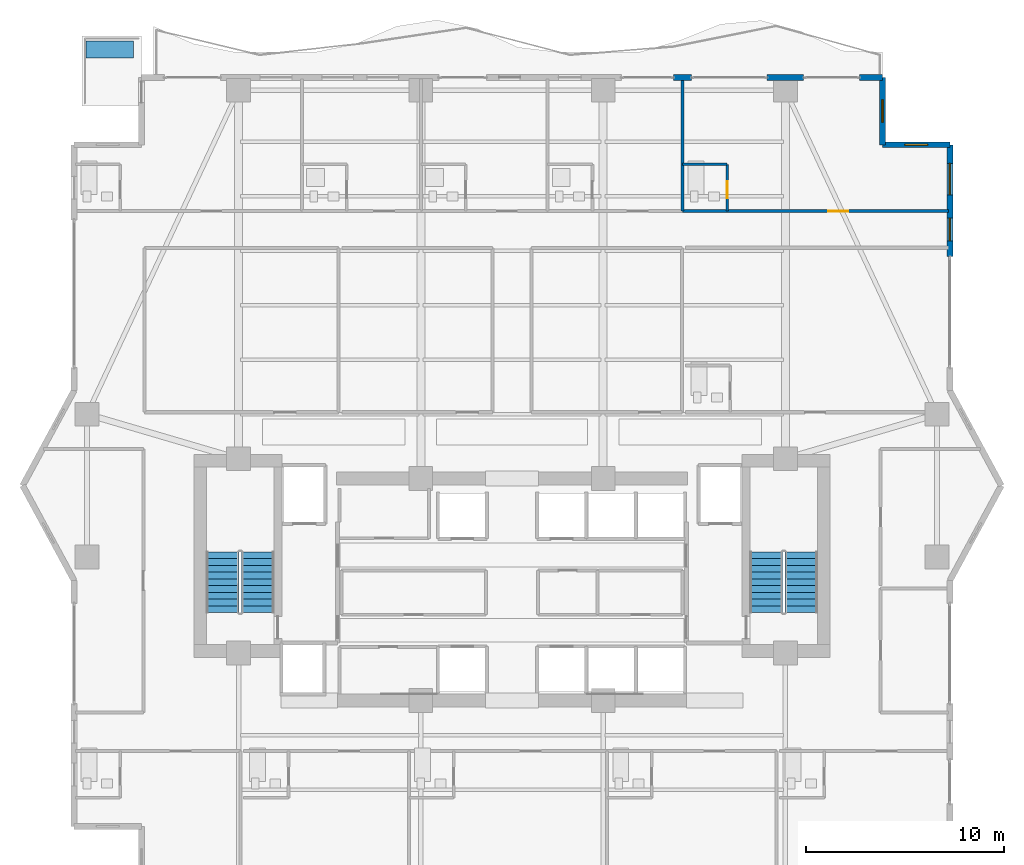
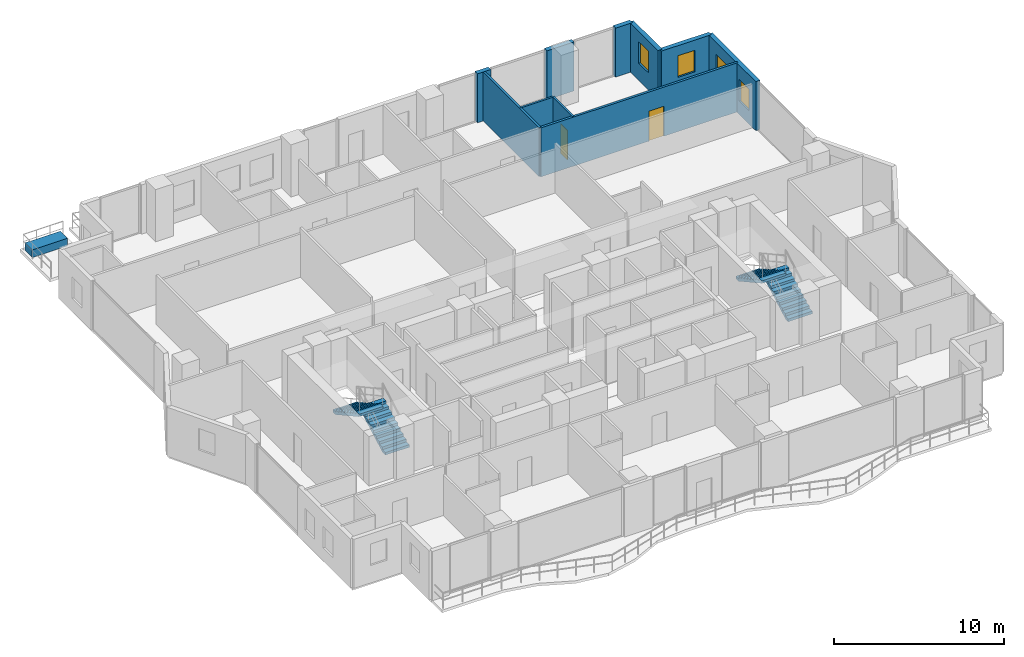
# One storey, part 28 of 32: 10 walls, 4 stair flights, 4 windows, 2 doors, 1 building element part, 6 openings, 2 elements without a shape of their own.
"""IFC4 building model written with IfcOpenShell, lengths in metres."""

from ifc_helpers import new_model, si_unit, direction, frame, frame_2d, origin, origin_2d, place, context, subcontext, project, spatial, polyline, rectangle, outline, extrude, material, layer, layer_set, type_object, element, fill, aggregate, save


model = new_model("IFC4")

# Units and contexts
model_context = context("Model", 3, precision=1e-05, world=origin(), true_north=direction((0.0, 1.0)))
body_context = subcontext(model_context, "Body", "Model", "MODEL_VIEW")
ifc_project = project(units=[si_unit("LENGTHUNIT", "METRE"), si_unit("AREAUNIT", "SQUARE_METRE"), si_unit("VOLUMEUNIT", "CUBIC_METRE"), si_unit("PLANEANGLEUNIT", "RADIAN"), si_unit("MASSUNIT", "GRAM", prefix="KILO")], contexts=[model_context])

# Site, building, storey
site_placement = place(None, origin())
site = spatial("IfcSite", under=ifc_project, at=site_placement, CompositionType="ELEMENT")
building_placement = place(site_placement, origin())
building = spatial("IfcBuilding", under=site, at=building_placement, Name="Zuhayl Quay Hotel", CompositionType="ELEMENT")
storey_placement = place(building_placement, frame((0.0, 0.0, 184.89990234375)))
storey = spatial("IfcBuildingStorey", under=building, at=storey_placement, Name="L46", CompositionType="ELEMENT", Elevation=184.89990234375)

# Walls
ifc_material_1 = material(Name="Precast concrete C45/55", Category="concrete")
ifc_layer_1 = layer(ifc_material_1, 0.300048828125, Name="Precast concrete C45/55", Category="concrete")
ifc_layer_set_1 = layer_set([ifc_layer_1], Name="Precast concrete C45/55")
wall_type_1 = type_object("IfcWallType", Name="WL_EXT_300", PredefinedType="STANDARD", material=ifc_layer_set_1)
wall_1_placement = place(storey_placement, frame((8.14990234375, 33.60009765625, 0.0), z_axis=(0.0, 0.0, 1.0), x_axis=(1.0, 0.0, 0.0)))
element("IfcWall", 1, at=wall_1_placement, inside=storey, type_object=wall_type_1, Name="L46 Exterior Precast Wall ENV_L46_N_EW4", PredefinedType="STANDARD", context=body_context, shape_type="SweptSolid", body=[
    extrude(rectangle(XDim=0.900146484375, YDim=0.300048828125, at=frame_2d((0.4501953125, 0.0))), origin(), (0.0, 0.0, 1.0), 3.530029296875),
])
wall_2_placement = place(storey_placement, frame((12.8798828125, 33.60009765625, 0.0), z_axis=(0.0, 0.0, 1.0), x_axis=(1.0, 0.0, 0.0)))
element("IfcWall", 2, at=wall_2_placement, inside=storey, type_object=wall_type_1, Name="L46 Exterior Precast Wall ENV_L46_N_EW5", PredefinedType="STANDARD", context=body_context, shape_type="SweptSolid", body=[
    extrude(rectangle(XDim=1.840087890625, YDim=0.300048828125, at=frame_2d((0.919921875, 0.0))), origin(), (0.0, 0.0, 1.0), 3.530029296875),
])
wall_3_placement = place(storey_placement, frame((17.550048828125, 33.60009765625, 0.0), z_axis=(0.0, 0.0, 1.0), x_axis=(1.0, 0.0, 0.0)))
element("IfcWall", 3, at=wall_3_placement, inside=storey, type_object=wall_type_1, Name="L46 Exterior Precast Wall ENV_L46_N_EW6", PredefinedType="STANDARD", context=body_context, shape_type="SweptSolid", body=[
    extrude(rectangle(XDim=1.14990234375, YDim=0.300048828125, at=frame_2d((0.574951171875, 0.0))), origin(), (0.0, 0.0, 1.0), 3.530029296875),
])

# Wall, opening, window
wall_4_placement = place(storey_placement, frame((18.699951171875, 33.60009765625, 0.0), z_axis=(0.0, 0.0, 1.0), x_axis=(0.0, -1.0, 0.0)))
wall_4 = element("IfcWall", 4, at=wall_4_placement, inside=storey, type_object=wall_type_1, Name="L46 Exterior Precast Wall ENV_L46_EW09", PredefinedType="STANDARD", context=body_context, shape_type="SweptSolid", body=[
    extrude(rectangle(XDim=3.400146484375, YDim=0.300048828125, at=frame_2d((1.7001953125, 0.0))), origin(), (0.0, 0.0, 1.0), 3.530029296875),
])
opening_1_placement = place(wall_4_placement, frame((1.125, 0.0, 1.25)))
opening_1 = element("IfcOpeningElement", 5, at=opening_1_placement, cuts=wall_4, Name="Opening W01N", PredefinedType="OPENING", context=body_context, shape_type="SweptSolid", body=[
    extrude(rectangle(XDim=1.14990234375, YDim=1.550048828125, at=frame_2d((0.574951171875, 0.77490234375))), frame((0.0, 0.159912109375, 0.0), z_axis=(0.0, -1.0, 0.0), x_axis=(1.0, 0.0, 0.0)), (0.0, 0.0, 1.0), 0.320068359375),
])
ifc_material_2 = material(Name="Dark Ceramic-Fritted Solar Glass", Category="glass")
window_type_1 = type_object("IfcWindowType", Name="WN_NOTCH_1350", PartitioningType="SINGLE_PANEL", PredefinedType="WINDOW", material=ifc_material_2)
window_1_placement = place(opening_1_placement, origin())
window_1 = element("IfcWindow", 6, at=window_1_placement, inside=storey, type_object=window_type_1, Name="L46 Corner Notch Window 9", OverallHeight=1.550048828125, OverallWidth=1.14990234375, PartitioningType="SINGLE_PANEL", PredefinedType="WINDOW", context=body_context, shape_type="SweptSolid", body=[
    extrude(rectangle(XDim=1.14990234375, YDim=1.550048828125, at=frame_2d((0.574951171875, 0.77490234375))), frame((0.0, 0.030029296875, 0.0), z_axis=(0.0, -1.0, 0.0), x_axis=(1.0, 0.0, 0.0)), (0.0, 0.0, 1.0), 0.06005859375),
])
fill(opening_1, window_1)

wall_5_placement = place(storey_placement, frame((18.699951171875, 30.199951171875, 0.0), z_axis=(0.0, 0.0, 1.0), x_axis=(1.0, 0.0, 0.0)))
wall_5 = element("IfcWall", 7, at=wall_5_placement, inside=storey, type_object=wall_type_1, Name="L46 Exterior Precast Wall ENV_L46_EW10", PredefinedType="STANDARD", context=body_context, shape_type="SweptSolid", body=[
    extrude(rectangle(XDim=3.400146484375, YDim=0.300048828125, at=frame_2d((1.7001953125, 0.0))), origin(), (0.0, 0.0, 1.0), 3.530029296875),
])
opening_2_placement = place(wall_5_placement, frame((1.125, 0.0, 1.25)))
opening_2 = element("IfcOpeningElement", 8, at=opening_2_placement, cuts=wall_5, Name="Opening W01N", PredefinedType="OPENING", context=body_context, shape_type="SweptSolid", body=[
    extrude(rectangle(XDim=1.14990234375, YDim=1.550048828125, at=frame_2d((0.574951171875, 0.77490234375))), frame((0.0, 0.159912109375, 0.0), z_axis=(0.0, -1.0, 0.0), x_axis=(1.0, 0.0, 0.0)), (0.0, 0.0, 1.0), 0.320068359375),
])
window_2_placement = place(opening_2_placement, origin())
window_2 = element("IfcWindow", 9, at=window_2_placement, inside=storey, type_object=window_type_1, Name="L46 Corner Notch Window 10", OverallHeight=1.550048828125, OverallWidth=1.14990234375, PartitioningType="SINGLE_PANEL", PredefinedType="WINDOW", context=body_context, shape_type="SweptSolid", body=[
    extrude(rectangle(XDim=1.14990234375, YDim=1.550048828125, at=frame_2d((0.574951171875, 0.77490234375))), frame((0.0, 0.030029296875, 0.0), z_axis=(0.0, -1.0, 0.0), x_axis=(1.0, 0.0, 0.0)), (0.0, 0.0, 1.0), 0.06005859375),
])
fill(opening_2, window_2)

# Wall, openings, windows
wall_6_placement = place(storey_placement, frame((22.10009765625, 30.199951171875, 0.0), z_axis=(0.0, 0.0, 1.0), x_axis=(0.0, -1.0, 0.0)))
wall_6 = element("IfcWall", 10, at=wall_6_placement, inside=storey, type_object=wall_type_1, Name="L46 Exterior Precast Wall ENV_L46_E11_EW1", PredefinedType="STANDARD", context=body_context, shape_type="SweptSolid", body=[
    extrude(rectangle(XDim=5.64990234375, YDim=0.300048828125, at=frame_2d((2.824951171875, 0.0))), origin(), (0.0, 0.0, 1.0), 3.530029296875),
])
opening_3_placement = place(wall_6_placement, frame((0.93505859375, 0.0, 0.85009765625)))
opening_3 = element("IfcOpeningElement", 11, at=opening_3_placement, cuts=wall_6, Name="Opening W01", PredefinedType="OPENING", context=body_context, shape_type="SweptSolid", body=[
    extrude(rectangle(XDim=1.60009765625, YDim=1.800048828125, at=frame_2d((0.800048828125, 0.89990234375))), frame((0.0, 0.159912109375, 0.0), z_axis=(0.0, -1.0, 0.0), x_axis=(1.0, 0.0, 0.0)), (0.0, 0.0, 1.0), 0.320068359375),
])
opening_4_placement = place(wall_6_placement, frame((3.699951171875, 0.0, 0.949951171875)))
opening_4 = element("IfcOpeningElement", 12, at=opening_4_placement, cuts=wall_6, Name="Opening W01N", PredefinedType="OPENING", context=body_context, shape_type="SweptSolid", body=[
    extrude(rectangle(XDim=1.14990234375, YDim=1.550048828125, at=frame_2d((0.574951171875, 0.77490234375))), frame((0.0, 0.159912109375, 0.0), z_axis=(0.0, -1.0, 0.0), x_axis=(1.0, 0.0, 0.0)), (0.0, 0.0, 1.0), 0.320068359375),
])
window_3_placement = place(opening_4_placement, origin())
window_3 = element("IfcWindow", 13, at=window_3_placement, inside=storey, type_object=window_type_1, Name="L46 Operable Facade Window 1-2", OverallHeight=1.550048828125, OverallWidth=1.14990234375, PartitioningType="SINGLE_PANEL", PredefinedType="WINDOW", context=body_context, shape_type="SweptSolid", body=[
    extrude(rectangle(XDim=1.14990234375, YDim=1.550048828125, at=frame_2d((0.574951171875, 0.77490234375))), frame((0.0, 0.030029296875, 0.0), z_axis=(0.0, -1.0, 0.0), x_axis=(1.0, 0.0, 0.0)), (0.0, 0.0, 1.0), 0.06005859375),
])
fill(opening_4, window_3)
window_type_2 = type_object("IfcWindowType", Name="WN_OPERABLE_1600", PartitioningType="DOUBLE_PANEL_VERTICAL", PredefinedType="WINDOW", material=ifc_material_2)
window_4_placement = place(opening_3_placement, origin())
window_4 = element("IfcWindow", 14, at=window_4_placement, inside=storey, type_object=window_type_2, Name="L46 Operable Facade Window 1-1", OverallHeight=1.800048828125, OverallWidth=1.60009765625, PartitioningType="SINGLE_PANEL", PredefinedType="WINDOW", context=body_context, shape_type="SweptSolid", body=[
    extrude(rectangle(XDim=1.60009765625, YDim=1.800048828125, at=frame_2d((0.800048828125, 0.89990234375))), frame((0.0, 0.030029296875, 0.0), z_axis=(0.0, -1.0, 0.0), x_axis=(1.0, 0.0, 0.0)), (0.0, 0.0, 1.0), 0.06005859375),
])
fill(opening_3, window_4)

# Wall
ifc_material_3 = material(Name="Acoustic Gypsum Partition STC-58")
ifc_layer_2 = layer(ifc_material_3, 0.14990234375, Name="Acoustic Gypsum Partition STC-58")
ifc_layer_set_2 = layer_set([ifc_layer_2], Name="Acoustic Gypsum Partition STC-58")
wall_type_2 = type_object("IfcWallType", Name="WL_PART_150", PredefinedType="PARTITIONING", material=ifc_layer_set_2)
wall_7_placement = place(storey_placement, frame((8.60009765625, 26.85009765625, 0.0), z_axis=(0.0, 0.0, 1.0), x_axis=(0.0, 1.0, 0.0)))
element("IfcWall", 15, at=wall_7_placement, inside=storey, type_object=wall_type_2, Name="L46 Partition IW_L46_NU04_E", PredefinedType="PARTITIONING", context=body_context, shape_type="SweptSolid", body=[
    extrude(rectangle(XDim=6.669921875, YDim=0.14990234375, at=frame_2d((3.3349609375, 0.0))), origin(), (0.0, 0.0, 1.0), 3.530029296875),
])

# Wall, opening, door
ifc_layer_3 = layer(ifc_material_3, 0.159912109375, Name="Acoustic Gypsum Partition STC-58")
ifc_layer_set_3 = layer_set([ifc_layer_3], Name="Acoustic Gypsum Partition STC-58")
wall_type_3 = type_object("IfcWallType", Name="WL_PART_CORR_160", PredefinedType="PARTITIONING", material=ifc_layer_set_3)
wall_8_placement = place(storey_placement, frame((8.60009765625, 26.85009765625, 0.0), z_axis=(0.0, 0.0, 1.0), x_axis=(1.0, 0.0, 0.0)))
wall_8 = element("IfcWall", 16, at=wall_8_placement, inside=storey, type_object=wall_type_3, Name="L46 Partition IW_L46_NU05_COR", PredefinedType="PARTITIONING", context=body_context, shape_type="SweptSolid", body=[
    extrude(rectangle(XDim=13.43994140625, YDim=0.159912109375, at=frame_2d((6.719970703125, 0.0))), origin(), (0.0, 0.0, 1.0), 3.530029296875),
])
opening_5_placement = place(wall_8_placement, frame((7.3701171875, 0.0, 0.0)))
opening_5 = element("IfcOpeningElement", 17, at=opening_5_placement, cuts=wall_8, Name="Opening D03L", PredefinedType="OPENING", context=body_context, shape_type="SweptSolid", body=[
    extrude(rectangle(XDim=1.0, YDim=2.14990234375, at=frame_2d((0.5, 1.074951171875))), frame((0.0, 0.08984375, 0.0), z_axis=(0.0, -1.0, 0.0), x_axis=(1.0, 0.0, 0.0)), (0.0, 0.0, 1.0), 0.179931640625),
])
ifc_material_4 = material(Name="Solid Walnut Acoustic Fire Door")
door_type_1 = type_object("IfcDoorType", Name="DR_SUITE_1000", OperationType="NOTDEFINED", PredefinedType="DOOR", material=ifc_material_4)
door_1_placement = place(opening_5_placement, origin())
door_1 = element("IfcDoor", 18, at=door_1_placement, inside=storey, type_object=door_type_1, Name="L46 Panoramic Gulf Suite L46-05 Entrance Door", OperationType="SINGLE_SWING_LEFT", OverallHeight=2.14990234375, OverallWidth=1.0, PredefinedType="DOOR", context=body_context, shape_type="SweptSolid", body=[
    extrude(rectangle(XDim=1.0, YDim=2.14990234375, at=frame_2d((0.5, 1.074951171875))), frame((0.0, 0.02490234375, 0.0), z_axis=(0.0, -1.0, 0.0), x_axis=(1.0, 0.0, 0.0)), (0.0, 0.0, 1.0), 0.050048828125),
])
fill(opening_5, door_1)

ifc_material_5 = material(Name="Moisture-Resistant Sanitarychase Gypsum")
ifc_layer_4 = layer(ifc_material_5, 0.135009765625, Name="Moisture-Resistant Sanitarychase Gypsum")
ifc_layer_set_4 = layer_set([ifc_layer_4], Name="Moisture-Resistant Sanitarychase Gypsum")
wall_type_4 = type_object("IfcWallType", Name="WL_PART_PLUMB_150", PredefinedType="PLUMBINGWALL", material=ifc_layer_set_4)
wall_9_placement = place(storey_placement, frame((10.860107421875, 26.85009765625, 0.0), z_axis=(0.0, 0.0, 1.0), x_axis=(0.0, 1.0, 0.0)))
wall_9 = element("IfcWall", 19, at=wall_9_placement, inside=storey, type_object=wall_type_4, Name="L46 Partition IW_L46_NU05_BE", PredefinedType="PLUMBINGWALL", context=body_context, shape_type="SweptSolid", body=[
    extrude(rectangle(XDim=2.35986328125, YDim=0.135009765625, at=frame_2d((1.179931640625, 0.0))), origin(), (0.0, 0.0, 1.0), 3.530029296875),
])
opening_6_placement = place(wall_9_placement, frame((0.64990234375, 0.0, 0.0)))
opening_6 = element("IfcOpeningElement", 20, at=opening_6_placement, cuts=wall_9, Name="Opening D04", PredefinedType="OPENING", context=body_context, shape_type="SweptSolid", body=[
    extrude(rectangle(XDim=0.85009765625, YDim=2.10009765625, at=frame_2d((0.425048828125, 1.050048828125))), frame((0.0, 0.077392578125, 0.0), z_axis=(0.0, -1.0, 0.0), x_axis=(1.0, 0.0, 0.0)), (0.0, 0.0, 1.0), 0.155029296875),
])
ifc_material_6 = material(Name="Moisture-Resistant Walnut Veneer")
door_type_2 = type_object("IfcDoorType", Name="DR_BATH_850", OperationType="NOTDEFINED", PredefinedType="DOOR", material=ifc_material_6)
door_2_placement = place(opening_6_placement, origin())
door_2 = element("IfcDoor", 21, at=door_2_placement, inside=storey, type_object=door_type_2, Name="L46 Panoramic Gulf Suite L46-05 En-Suite Door", OperationType="SINGLE_SWING_RIGHT", OverallHeight=2.10009765625, OverallWidth=0.85009765625, PredefinedType="DOOR", context=body_context, shape_type="SweptSolid", body=[
    extrude(rectangle(XDim=0.85009765625, YDim=2.10009765625, at=frame_2d((0.425048828125, 1.050048828125))), frame((0.0, 0.02490234375, 0.0), z_axis=(0.0, -1.0, 0.0), x_axis=(1.0, 0.0, 0.0)), (0.0, 0.0, 1.0), 0.050048828125),
])
fill(opening_6, door_2)

# Wall
wall_10_placement = place(storey_placement, frame((8.60009765625, 29.2099609375, 0.0), z_axis=(0.0, 0.0, 1.0), x_axis=(1.0, 0.0, 0.0)))
element("IfcWall", 22, at=wall_10_placement, inside=storey, type_object=wall_type_4, Name="L46 Partition IW_L46_NU05_BN", PredefinedType="PLUMBINGWALL", context=body_context, shape_type="SweptSolid", body=[
    extrude(rectangle(XDim=2.260009765625, YDim=0.135009765625, at=frame_2d((1.1298828125, 0.0))), origin(), (0.0, 0.0, 1.0), 3.530029296875),
])

# Stair, stair flights
ifc_material_7 = material(Name="Concrete C45/55", Category="concrete")
stair_type = type_object("IfcStairType", Name="ST_DOGLEG_TOWER", PredefinedType="HALF_TURN_STAIR", material=ifc_material_7)
stair_1_placement = place(storey_placement, origin())
stair_1 = element("IfcStair", 23, at=stair_1_placement, inside=storey, type_object=stair_type, Name="L46 Smokeproof Exit Stair ST1", PredefinedType="HALF_TURN_STAIR")
ifc_layer_5 = layer(ifc_material_7, 0.159912109375, Name="Concrete C45/55", Category="concrete")
ifc_layer_set_5 = layer_set([ifc_layer_5], Name="Concrete C45/55")
stair_flight_type = type_object("IfcStairFlightType", Name="SF_CONC_164", PredefinedType="STRAIGHT", material=ifc_layer_set_5)
stair_flight_1_placement = place(storey_placement, frame((-12.820068359375, 6.590087890625, 0.0), z_axis=(0.0, 0.0, 1.0), x_axis=(0.0, 1.0, 0.0)))
stair_flight_1 = element("IfcStairFlight", 24, at=stair_flight_1_placement, type_object=stair_flight_type, Name="ST1 flight 1", NumberOfRisers=10, NumberOfTreads=9, PredefinedType="STRAIGHT", RiserHeight=0.1875, TreadLength=0.34, context=body_context, shape_type="SweptSolid", body=[
    extrude(outline(polyline([(0.0, 0.0), (0.0, 0.1875), (0.340087890625, 0.1875), (0.340087890625, 0.375), (0.679931640625, 0.375), (0.679931640625, 0.5625), (1.02001953125, 0.5625), (1.02001953125, 0.75), (1.360107421875, 0.75), (1.360107421875, 0.9375), (1.699951171875, 0.9375), (1.699951171875, 1.125), (2.0400390625, 1.125), (2.0400390625, 1.3125), (2.3798828125, 1.3125), (2.3798828125, 1.5), (2.719970703125, 1.5), (2.719970703125, 1.6875), (3.06005859375, 1.6875), (3.06005859375, 1.875), (3.06005859375, 1.516357421875), (0.310302734375, 0.0), (0.0, 0.0)])), frame((0.0, 0.81982421875, 0.0), z_axis=(0.0, -1.0, 0.0), x_axis=(1.0, 0.0, 0.0)), (0.0, 0.0, 1.0), 1.639892578125),
])
stair_flight_2_placement = place(storey_placement, frame((-14.610107421875, 9.64990234375, 1.875), z_axis=(0.0, 0.0, 1.0), x_axis=(0.0, -1.0, 0.0)))
stair_flight_2 = element("IfcStairFlight", 25, at=stair_flight_2_placement, type_object=stair_flight_type, Name="ST1 flight 2", NumberOfRisers=10, NumberOfTreads=9, PredefinedType="STRAIGHT", RiserHeight=0.1875, TreadLength=0.34, context=body_context, shape_type="SweptSolid", body=[
    extrude(outline(polyline([(0.0, 0.0), (0.0, 0.1875), (0.340087890625, 0.1875), (0.340087890625, 0.375), (0.679931640625, 0.375), (0.679931640625, 0.5625), (1.02001953125, 0.5625), (1.02001953125, 0.75), (1.360107421875, 0.75), (1.360107421875, 0.9375), (1.699951171875, 0.9375), (1.699951171875, 1.125), (2.0400390625, 1.125), (2.0400390625, 1.3125), (2.3798828125, 1.3125), (2.3798828125, 1.5), (2.719970703125, 1.5), (2.719970703125, 1.6875), (3.06005859375, 1.6875), (3.06005859375, 1.875), (3.06005859375, 1.516357421875), (0.310302734375, 0.0), (0.0, 0.0)])), frame((0.0, 0.81982421875, 0.0), z_axis=(0.0, -1.0, 0.0), x_axis=(1.0, 0.0, 0.0)), (0.0, 0.0, 1.0), 1.639892578125),
])
aggregate(stair_1, [stair_flight_1, stair_flight_2])

stair_2_placement = place(storey_placement, origin())
stair_2 = element("IfcStair", 26, at=stair_2_placement, inside=storey, type_object=stair_type, Name="L46 Smokeproof Exit Stair ST2", PredefinedType="HALF_TURN_STAIR")
stair_flight_3_placement = place(storey_placement, frame((14.610107421875, 6.590087890625, 0.0), z_axis=(0.0, 0.0, 1.0), x_axis=(0.0, 1.0, 0.0)))
stair_flight_3 = element("IfcStairFlight", 27, at=stair_flight_3_placement, type_object=stair_flight_type, Name="ST2 flight 1", NumberOfRisers=10, NumberOfTreads=9, PredefinedType="STRAIGHT", RiserHeight=0.1875, TreadLength=0.34, context=body_context, shape_type="SweptSolid", body=[
    extrude(outline(polyline([(0.0, 0.0), (0.0, 0.1875), (0.340087890625, 0.1875), (0.340087890625, 0.375), (0.679931640625, 0.375), (0.679931640625, 0.5625), (1.02001953125, 0.5625), (1.02001953125, 0.75), (1.360107421875, 0.75), (1.360107421875, 0.9375), (1.699951171875, 0.9375), (1.699951171875, 1.125), (2.0400390625, 1.125), (2.0400390625, 1.3125), (2.3798828125, 1.3125), (2.3798828125, 1.5), (2.719970703125, 1.5), (2.719970703125, 1.6875), (3.06005859375, 1.6875), (3.06005859375, 1.875), (3.06005859375, 1.516357421875), (0.310302734375, 0.0), (0.0, 0.0)])), frame((0.0, 0.81982421875, 0.0), z_axis=(0.0, -1.0, 0.0), x_axis=(1.0, 0.0, 0.0)), (0.0, 0.0, 1.0), 1.639892578125),
])
stair_flight_4_placement = place(storey_placement, frame((12.820068359375, 9.64990234375, 1.875), z_axis=(0.0, 0.0, 1.0), x_axis=(0.0, -1.0, 0.0)))
stair_flight_4 = element("IfcStairFlight", 28, at=stair_flight_4_placement, type_object=stair_flight_type, Name="ST2 flight 2", NumberOfRisers=10, NumberOfTreads=9, PredefinedType="STRAIGHT", RiserHeight=0.1875, TreadLength=0.34, context=body_context, shape_type="SweptSolid", body=[
    extrude(outline(polyline([(0.0, 0.0), (0.0, 0.1875), (0.340087890625, 0.1875), (0.340087890625, 0.375), (0.679931640625, 0.375), (0.679931640625, 0.5625), (1.02001953125, 0.5625), (1.02001953125, 0.75), (1.360107421875, 0.75), (1.360107421875, 0.9375), (1.699951171875, 0.9375), (1.699951171875, 1.125), (2.0400390625, 1.125), (2.0400390625, 1.3125), (2.3798828125, 1.3125), (2.3798828125, 1.5), (2.719970703125, 1.5), (2.719970703125, 1.6875), (3.06005859375, 1.6875), (3.06005859375, 1.875), (3.06005859375, 1.516357421875), (0.310302734375, 0.0), (0.0, 0.0)])), frame((0.0, 0.81982421875, 0.0), z_axis=(0.0, -1.0, 0.0), x_axis=(1.0, 0.0, 0.0)), (0.0, 0.0, 1.0), 1.639892578125),
])
aggregate(stair_2, [stair_flight_3, stair_flight_4])

# Building element part
ifc_layer_6 = layer(ifc_material_1, 0.550048828125, Name="Precast concrete C45/55", Category="concrete")
ifc_layer_set_6 = layer_set([ifc_layer_6], Name="Precast concrete C45/55")
building_element_part_type = type_object("IfcBuildingElementPartType", Name="PT_PLANTER_KERB", PredefinedType="PRECASTPANEL", material=ifc_layer_set_6)
building_element_part_placement = place(storey_placement, frame((-20.31005859375, 35.010009765625, 0.0), z_axis=(0.0, 0.0, 1.0), x_axis=(1.0, 0.0, 0.0)))
element("IfcBuildingElementPart", 29, at=building_element_part_placement, inside=storey, type_object=building_element_part_type, Name="L46 Spiral Sky-Terrace Planter Box NW", PredefinedType="PRECASTPANEL", context=body_context, shape_type="SweptSolid", body=[
    extrude(rectangle(XDim=2.39990234375, YDim=0.85009765625, at=origin_2d()), origin(), (0.0, 0.0, 1.0), 0.550048828125),
])

save(model, "model.ifc")
